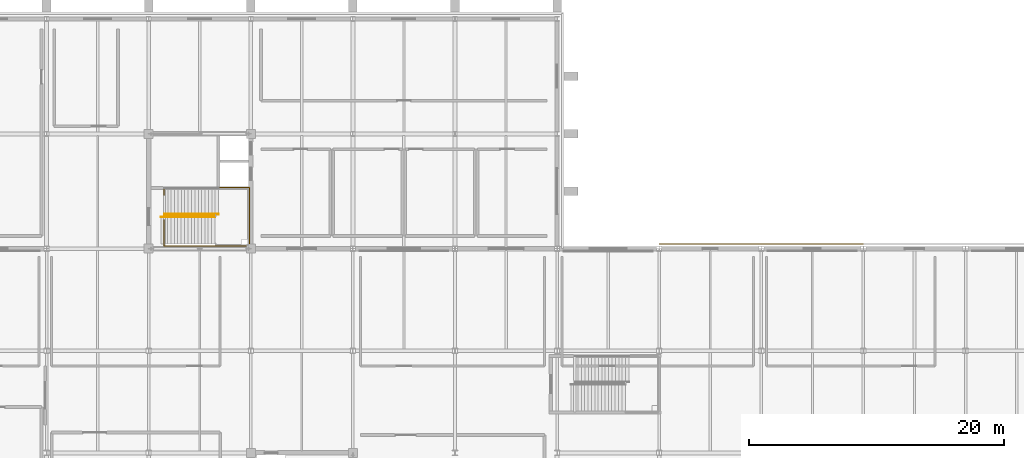
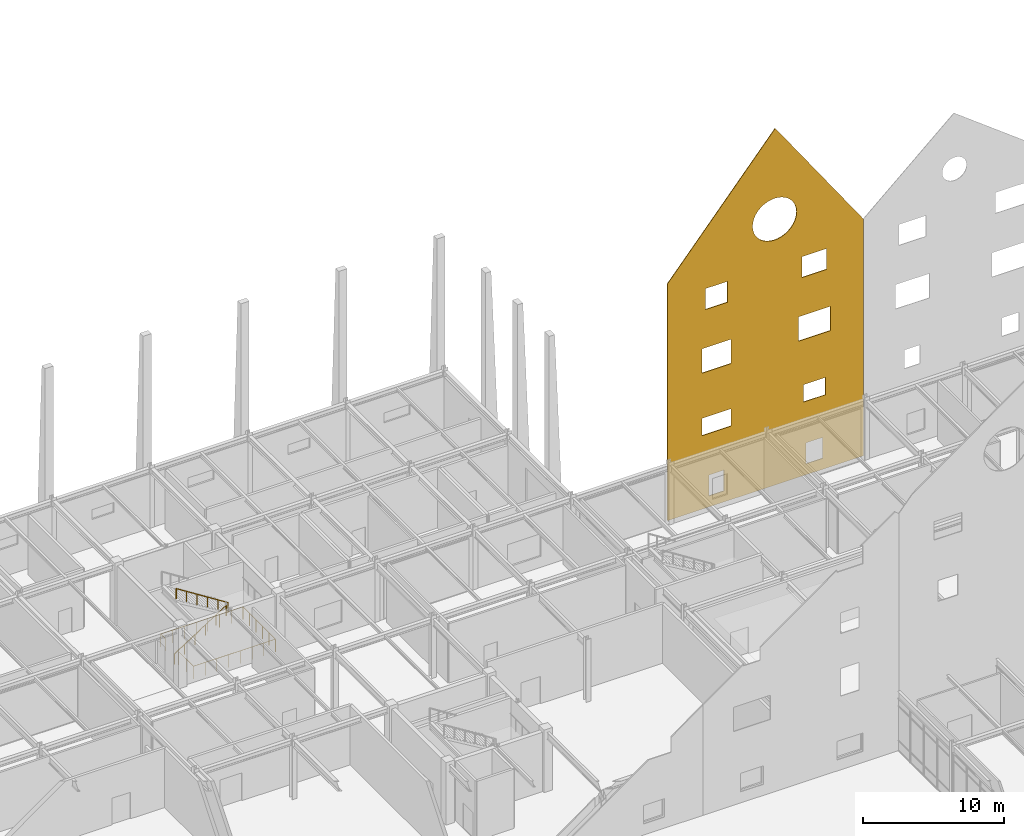
# One storey, part 113 of 119: 3 railings, 1 covering, 9 openings.
"""IFC4 building model written with IfcOpenShell, lengths in metres."""

from ifc_helpers import new_model, si_unit, direction, frame, frame_2d, origin, origin_2d, place, context, subcontext, project, spatial, polyline, rectangle, circle, outline, extrude, material, layer, layer_set, type_object, element, save


model = new_model("IFC4")

# Units and contexts
model_context = context("Model", 3, precision=1e-05, world=origin(), true_north=direction((0.0, 1.0)))
body_context = subcontext(model_context, "Body", "Model", "MODEL_VIEW")
ifc_project = project(units=[si_unit("LENGTHUNIT", "METRE"), si_unit("AREAUNIT", "SQUARE_METRE"), si_unit("VOLUMEUNIT", "CUBIC_METRE"), si_unit("PLANEANGLEUNIT", "RADIAN"), si_unit("MASSUNIT", "GRAM", prefix="KILO")], contexts=[model_context])

# Site, building, storey
site_placement = place(None, origin())
site = spatial("IfcSite", under=ifc_project, at=site_placement, CompositionType="ELEMENT")
building_placement = place(site_placement, origin())
building = spatial("IfcBuilding", under=site, at=building_placement, Name="Zhaolan Boulevard Law Courts", CompositionType="ELEMENT")
storey_placement = place(building_placement, origin())
storey = spatial("IfcBuildingStorey", under=building, at=storey_placement, Name="L00", CompositionType="ELEMENT", Elevation=0.0)

# Railings
ifc_material_1 = material(Name="Brushed stainless steel tubular handrail", Category="steel")
railing_type_1 = type_object("IfcRailingType", Name="STAIR HANDRAIL 900", PredefinedType="HANDRAIL", material=ifc_material_1)
railing_1_placement = place(storey_placement, frame((76.949951171875, 96.47998046875, 0.0)))
element("IfcRailing", 1, at=railing_1_placement, inside=storey, type_object=railing_type_1, Name="Stair Handrail HR-ST11-L00-1", PredefinedType="HANDRAIL", context=body_context, shape_type="SweptSolid", body=[
    extrude(circle(Radius=0.0224609375, at=origin_2d()), frame((0.0, 0.0, 0.87744140625), z_axis=(0.843501457581, 0.0, 0.537126885437), x_axis=(0.0, 1.0, 0.0)), (0.0, 0.0, 1.0), 5.026611328125),
    extrude(circle(Radius=0.01904296875, at=origin_2d()), origin(), (0.0, 0.0, 1.0), 0.85498046875),
    extrude(circle(Radius=0.01904296875, at=origin_2d()), frame((0.847900390625, 0.0, 0.5400390625)), (0.0, 0.0, 1.0), 0.85498046875),
    extrude(circle(Radius=0.01904296875, at=origin_2d()), frame((1.696044921875, 0.0, 1.080078125)), (0.0, 0.0, 1.0), 0.85498046875),
    extrude(circle(Radius=0.01904296875, at=origin_2d()), frame((2.5439453125, 0.0, 1.619873046875)), (0.0, 0.0, 1.0), 0.85498046875),
    extrude(circle(Radius=0.01904296875, at=origin_2d()), frame((3.39208984375, 0.0, 2.159912109375)), (0.0, 0.0, 1.0), 0.85498046875),
    extrude(circle(Radius=0.01904296875, at=origin_2d()), frame((4.239990234375, 0.0, 2.699951171875)), (0.0, 0.0, 1.0), 0.85498046875),
])
railing_2_placement = place(storey_placement, frame((81.47509765625, 96.699951171875, 2.699951171875)))
element("IfcRailing", 2, at=railing_2_placement, inside=storey, type_object=railing_type_1, Name="Stair Handrail HR-ST11-L00-2", PredefinedType="HANDRAIL", context=body_context, shape_type="SweptSolid", body=[
    extrude(circle(Radius=0.0224609375, at=origin_2d()), frame((0.0, 0.0, 0.87744140625), z_axis=(-0.843501457581, 0.0, 0.537126885437), x_axis=(0.0, -1.0, 0.0)), (0.0, 0.0, 1.0), 5.026611328125),
    extrude(circle(Radius=0.01904296875, at=origin_2d()), origin(), (0.0, 0.0, 1.0), 0.85498046875),
    extrude(circle(Radius=0.01904296875, at=origin_2d()), frame((-0.847900390625, 0.0, 0.5400390625)), (0.0, 0.0, 1.0), 0.85498046875),
    extrude(circle(Radius=0.01904296875, at=origin_2d()), frame((-1.696044921875, 0.0, 1.080078125)), (0.0, 0.0, 1.0), 0.85498046875),
    extrude(circle(Radius=0.01904296875, at=origin_2d()), frame((-2.5439453125, 0.0, 1.619873046875)), (0.0, 0.0, 1.0), 0.85498046875),
    extrude(circle(Radius=0.01904296875, at=origin_2d()), frame((-3.39208984375, 0.0, 2.159912109375)), (0.0, 0.0, 1.0), 0.85498046875),
    extrude(circle(Radius=0.01904296875, at=origin_2d()), frame((-4.239990234375, 0.0, 2.699951171875)), (0.0, 0.0, 1.0), 0.85498046875),
])
ifc_material_2 = material(Name="Powder-coated steel baluster guardrail", Category="steel")
railing_type_2 = type_object("IfcRailingType", Name="STAIR WELL GUARDRAIL 1120", PredefinedType="GUARDRAIL", material=ifc_material_2)
railing_3_placement = place(storey_placement, frame((77.18994140625, 96.25, 0.0)))
element("IfcRailing", 3, at=railing_3_placement, inside=storey, type_object=railing_type_2, Name="Stair-Well Floor Guardrail WG-ST11-B1", PredefinedType="GUARDRAIL", context=body_context, shape_type="SweptSolid", body=[
    extrude(circle(Radius=0.02392578125, at=origin_2d()), frame((0.0, 0.0, 1.09619140625), z_axis=(0.0, -1.0, 0.0), x_axis=(1.0, 0.0, 0.0)), (0.0, 0.0, 1.0), 2.050048828125),
    extrude(circle(Radius=0.02392578125, at=origin_2d()), frame((0.0, -2.050048828125, 1.09619140625), z_axis=(1.0, 0.0, 0.0), x_axis=(0.0, 1.0, 0.0)), (0.0, 0.0, 1.0), 6.7099609375),
    extrude(circle(Radius=0.02392578125, at=origin_2d()), frame((6.7099609375, -2.050048828125, 1.09619140625), z_axis=(0.0, 1.0, 0.0), x_axis=(-1.0, 0.0, 0.0)), (0.0, 0.0, 1.0), 4.60009765625),
    extrude(circle(Radius=0.02392578125, at=origin_2d()), frame((6.7099609375, 2.550048828125, 1.09619140625), z_axis=(-1.0, 0.0, 0.0), x_axis=(0.0, -1.0, 0.0)), (0.0, 0.0, 1.0), 6.7099609375),
    extrude(circle(Radius=0.02392578125, at=origin_2d()), frame((0.0, 2.550048828125, 1.09619140625), z_axis=(0.0, -1.0, 0.0), x_axis=(1.0, 0.0, 0.0)), (0.0, 0.0, 1.0), 0.60009765625),
    extrude(circle(Radius=0.02099609375, at=origin_2d()), origin(), (0.0, 0.0, 1.0), 1.072021484375),
    extrude(circle(Radius=0.02099609375, at=origin_2d()), frame((0.0, -1.02490234375, 0.0)), (0.0, 0.0, 1.0), 1.072021484375),
    extrude(circle(Radius=0.02099609375, at=origin_2d()), frame((0.0, -2.050048828125, 0.0)), (0.0, 0.0, 1.0), 1.072021484375),
    extrude(circle(Radius=0.02099609375, at=origin_2d()), frame((0.95849609375, -2.050048828125, 0.0)), (0.0, 0.0, 1.0), 1.072021484375),
    extrude(circle(Radius=0.02099609375, at=origin_2d()), frame((1.917236328125, -2.050048828125, 0.0)), (0.0, 0.0, 1.0), 1.072021484375),
    extrude(circle(Radius=0.02099609375, at=origin_2d()), frame((2.875732421875, -2.050048828125, 0.0)), (0.0, 0.0, 1.0), 1.072021484375),
    extrude(circle(Radius=0.02099609375, at=origin_2d()), frame((3.834228515625, -2.050048828125, 0.0)), (0.0, 0.0, 1.0), 1.072021484375),
    extrude(circle(Radius=0.02099609375, at=origin_2d()), frame((4.792724609375, -2.050048828125, 0.0)), (0.0, 0.0, 1.0), 1.072021484375),
    extrude(circle(Radius=0.02099609375, at=origin_2d()), frame((5.75146484375, -2.050048828125, 0.0)), (0.0, 0.0, 1.0), 1.072021484375),
    extrude(circle(Radius=0.02099609375, at=origin_2d()), frame((6.7099609375, -2.050048828125, 0.0)), (0.0, 0.0, 1.0), 1.072021484375),
    extrude(circle(Radius=0.02099609375, at=origin_2d()), frame((6.7099609375, -1.130126953125, 0.0)), (0.0, 0.0, 1.0), 1.072021484375),
    extrude(circle(Radius=0.02099609375, at=origin_2d()), frame((6.7099609375, -0.2099609375, 0.0)), (0.0, 0.0, 1.0), 1.072021484375),
    extrude(circle(Radius=0.02099609375, at=origin_2d()), frame((6.7099609375, 0.7099609375, 0.0)), (0.0, 0.0, 1.0), 1.072021484375),
    extrude(circle(Radius=0.02099609375, at=origin_2d()), frame((6.7099609375, 1.630126953125, 0.0)), (0.0, 0.0, 1.0), 1.072021484375),
    extrude(circle(Radius=0.02099609375, at=origin_2d()), frame((6.7099609375, 2.550048828125, 0.0)), (0.0, 0.0, 1.0), 1.072021484375),
    extrude(circle(Radius=0.02099609375, at=origin_2d()), frame((5.75146484375, 2.550048828125, 0.0)), (0.0, 0.0, 1.0), 1.072021484375),
    extrude(circle(Radius=0.02099609375, at=origin_2d()), frame((4.792724609375, 2.550048828125, 0.0)), (0.0, 0.0, 1.0), 1.072021484375),
    extrude(circle(Radius=0.02099609375, at=origin_2d()), frame((3.834228515625, 2.550048828125, 0.0)), (0.0, 0.0, 1.0), 1.072021484375),
    extrude(circle(Radius=0.02099609375, at=origin_2d()), frame((2.875732421875, 2.550048828125, 0.0)), (0.0, 0.0, 1.0), 1.072021484375),
    extrude(circle(Radius=0.02099609375, at=origin_2d()), frame((1.917236328125, 2.550048828125, 0.0)), (0.0, 0.0, 1.0), 1.072021484375),
    extrude(circle(Radius=0.02099609375, at=origin_2d()), frame((0.95849609375, 2.550048828125, 0.0)), (0.0, 0.0, 1.0), 1.072021484375),
    extrude(circle(Radius=0.02099609375, at=origin_2d()), frame((0.0, 2.550048828125, 0.0)), (0.0, 0.0, 1.0), 1.072021484375),
    extrude(circle(Radius=0.02099609375, at=origin_2d()), frame((0.0, 1.949951171875, 0.0)), (0.0, 0.0, 1.0), 1.072021484375),
])

# Covering, openings
ifc_material_3 = material(Name="Pale mist-grey standing-seam Al-Mg-Mn zinc-titanium")
ifc_layer = layer(ifc_material_3, 0.050048828125)
ifc_layer_set = layer_set([ifc_layer])
covering_type = type_object("IfcCoveringType", Name="STANDING SEAM CLADDING 50", PredefinedType="CLADDING", material=ifc_layer_set)
covering_placement = place(storey_placement, frame((132.0, 94.364990234375, 0.0), z_axis=(0.0, 0.0, 1.0), x_axis=(-1.0, 0.0, 0.0)))
covering = element("IfcCovering", 4, at=covering_placement, inside=storey, type_object=covering_type, Name="Standing-Seam Metal Wall Wrap SSC-018", PredefinedType="CLADDING", context=body_context, shape_type="SweptSolid", body=[
    extrude(outline(polyline([(0.0, 0.0), (16.0, 0.0), (16.0, 20.449951171875), (7.199951171875, 30.800048828125), (0.0, 20.449951171875), (0.0, 0.0)])), frame((0.0, 0.02490234375, 0.0), z_axis=(0.0, -1.0, 0.0), x_axis=(1.0, 0.0, 0.0)), (0.0, 0.0, 1.0), 0.050048828125),
])
opening_1_placement = place(storey_placement, frame((120.60009765625, 94.364990234375, 0.949951171875), z_axis=(0.0, 0.0, 1.0), x_axis=(-1.0, 0.0, 0.0)))
element("IfcOpeningElement", 5, at=opening_1_placement, cuts=covering, Name="Cladding Void WIN-L00-049", PredefinedType="OPENING", context=body_context, shape_type="SweptSolid", body=[
    extrude(rectangle(XDim=1.199951171875, YDim=1.800048828125, at=frame_2d((0.60009765625, 0.89990234375))), frame((0.0, 0.14990234375, 0.0), z_axis=(0.0, -1.0, 0.0), x_axis=(1.0, 0.0, 0.0)), (0.0, 0.0, 1.0), 0.300048828125),
])
opening_2_placement = place(storey_placement, frame((128.675048828125, 94.364990234375, 0.949951171875), z_axis=(0.0, 0.0, 1.0), x_axis=(-1.0, 0.0, 0.0)))
element("IfcOpeningElement", 6, at=opening_2_placement, cuts=covering, Name="Cladding Void WIN-L00-050", PredefinedType="OPENING", context=body_context, shape_type="SweptSolid", body=[
    extrude(rectangle(XDim=1.35009765625, YDim=1.800048828125, at=frame_2d((0.675048828125, 0.89990234375))), frame((0.0, 0.14990234375, 0.0), z_axis=(0.0, -1.0, 0.0), x_axis=(1.0, 0.0, 0.0)), (0.0, 0.0, 1.0), 0.300048828125),
])
opening_3_placement = place(storey_placement, frame((121.199951171875, 94.364990234375, 6.35009765625), z_axis=(0.0, 0.0, 1.0), x_axis=(-1.0, 0.0, 0.0)))
element("IfcOpeningElement", 7, at=opening_3_placement, cuts=covering, Name="Cladding Void WIN-L01-080", PredefinedType="OPENING", context=body_context, shape_type="SweptSolid", body=[
    extrude(rectangle(XDim=2.39990234375, YDim=1.5, at=frame_2d((1.199951171875, 0.75))), frame((0.0, 0.14990234375, 0.0), z_axis=(0.0, -1.0, 0.0), x_axis=(1.0, 0.0, 0.0)), (0.0, 0.0, 1.0), 0.300048828125),
])
opening_4_placement = place(storey_placement, frame((128.89990234375, 94.364990234375, 6.35009765625), z_axis=(0.0, 0.0, 1.0), x_axis=(-1.0, 0.0, 0.0)))
element("IfcOpeningElement", 8, at=opening_4_placement, cuts=covering, Name="Cladding Void WIN-L01-081", PredefinedType="OPENING", context=body_context, shape_type="SweptSolid", body=[
    extrude(rectangle(XDim=1.800048828125, YDim=1.5, at=frame_2d((0.89990234375, 0.75))), frame((0.0, 0.14990234375, 0.0), z_axis=(0.0, -1.0, 0.0), x_axis=(1.0, 0.0, 0.0)), (0.0, 0.0, 1.0), 0.300048828125),
])
opening_5_placement = place(storey_placement, frame((121.199951171875, 94.364990234375, 11.75), z_axis=(0.0, 0.0, 1.0), x_axis=(-1.0, 0.0, 0.0)))
element("IfcOpeningElement", 9, at=opening_5_placement, cuts=covering, Name="Cladding Void WIN-L02-113", PredefinedType="OPENING", context=body_context, shape_type="SweptSolid", body=[
    extrude(rectangle(XDim=2.39990234375, YDim=2.10009765625, at=frame_2d((1.199951171875, 1.050048828125))), frame((0.0, 0.14990234375, 0.0), z_axis=(0.0, -1.0, 0.0), x_axis=(1.0, 0.0, 0.0)), (0.0, 0.0, 1.0), 0.300048828125),
])
opening_6_placement = place(storey_placement, frame((129.300048828125, 94.364990234375, 11.75), z_axis=(0.0, 0.0, 1.0), x_axis=(-1.0, 0.0, 0.0)))
element("IfcOpeningElement", 10, at=opening_6_placement, cuts=covering, Name="Cladding Void WIN-L02-114", PredefinedType="OPENING", context=body_context, shape_type="SweptSolid", body=[
    extrude(rectangle(XDim=2.60009765625, YDim=2.10009765625, at=frame_2d((1.300048828125, 1.050048828125))), frame((0.0, 0.14990234375, 0.0), z_axis=(0.0, -1.0, 0.0), x_axis=(1.0, 0.0, 0.0)), (0.0, 0.0, 1.0), 0.300048828125),
])
opening_7_placement = place(storey_placement, frame((120.89990234375, 94.364990234375, 17.14990234375), z_axis=(0.0, 0.0, 1.0), x_axis=(-1.0, 0.0, 0.0)))
element("IfcOpeningElement", 11, at=opening_7_placement, cuts=covering, Name="Cladding Void WIN-L03-149", PredefinedType="OPENING", context=body_context, shape_type="SweptSolid", body=[
    extrude(rectangle(XDim=1.800048828125, YDim=1.800048828125, at=frame_2d((0.89990234375, 0.89990234375))), frame((0.0, 0.14990234375, 0.0), z_axis=(0.0, -1.0, 0.0), x_axis=(1.0, 0.0, 0.0)), (0.0, 0.0, 1.0), 0.300048828125),
])
opening_8_placement = place(storey_placement, frame((129.0, 94.364990234375, 17.14990234375), z_axis=(0.0, 0.0, 1.0), x_axis=(-1.0, 0.0, 0.0)))
element("IfcOpeningElement", 12, at=opening_8_placement, cuts=covering, Name="Cladding Void WIN-L03-150", PredefinedType="OPENING", context=body_context, shape_type="SweptSolid", body=[
    extrude(rectangle(XDim=2.0, YDim=1.800048828125, at=frame_2d((1.0, 0.89990234375))), frame((0.0, 0.14990234375, 0.0), z_axis=(0.0, -1.0, 0.0), x_axis=(1.0, 0.0, 0.0)), (0.0, 0.0, 1.0), 0.300048828125),
])
opening_9_placement = place(storey_placement, frame((126.544921875, 94.364990234375, 21.169921875), z_axis=(0.0, 0.0, 1.0), x_axis=(-1.0, 0.0, 0.0)))
element("IfcOpeningElement", 13, at=opening_9_placement, cuts=covering, Name="Cladding Void OC-T5N", PredefinedType="OPENING", context=body_context, shape_type="SweptSolid", body=[
    extrude(outline(polyline([(3.60009765625, 1.800048828125), (3.57275390625, 2.112548828125), (3.491455078125, 2.41552734375), (3.35888671875, 2.699951171875), (3.178955078125, 2.95703125), (2.95703125, 3.178955078125), (2.699951171875, 3.35888671875), (2.41552734375, 3.491455078125), (2.112548828125, 3.57275390625), (1.800048828125, 3.60009765625), (1.487548828125, 3.57275390625), (1.184326171875, 3.491455078125), (0.89990234375, 3.35888671875), (0.64306640625, 3.178955078125), (0.421142578125, 2.95703125), (0.2412109375, 2.699951171875), (0.108642578125, 2.41552734375), (0.02734375, 2.112548828125), (0.0, 1.800048828125), (0.02734375, 1.487548828125), (0.108642578125, 1.184326171875), (0.2412109375, 0.89990234375), (0.421142578125, 0.64306640625), (0.64306640625, 0.421142578125), (0.89990234375, 0.2412109375), (1.184326171875, 0.108642578125), (1.487548828125, 0.02734375), (1.800048828125, 0.0), (2.112548828125, 0.02734375), (2.41552734375, 0.108642578125), (2.699951171875, 0.2412109375), (2.95703125, 0.421142578125), (3.178955078125, 0.64306640625), (3.35888671875, 0.89990234375), (3.491455078125, 1.184326171875), (3.57275390625, 1.487548828125), (3.60009765625, 1.800048828125)])), frame((0.0, 0.14990234375, 0.0), z_axis=(0.0, -1.0, 0.0), x_axis=(1.0, 0.0, 0.0)), (0.0, 0.0, 1.0), 0.300048828125),
])

save(model, "model.ifc")
